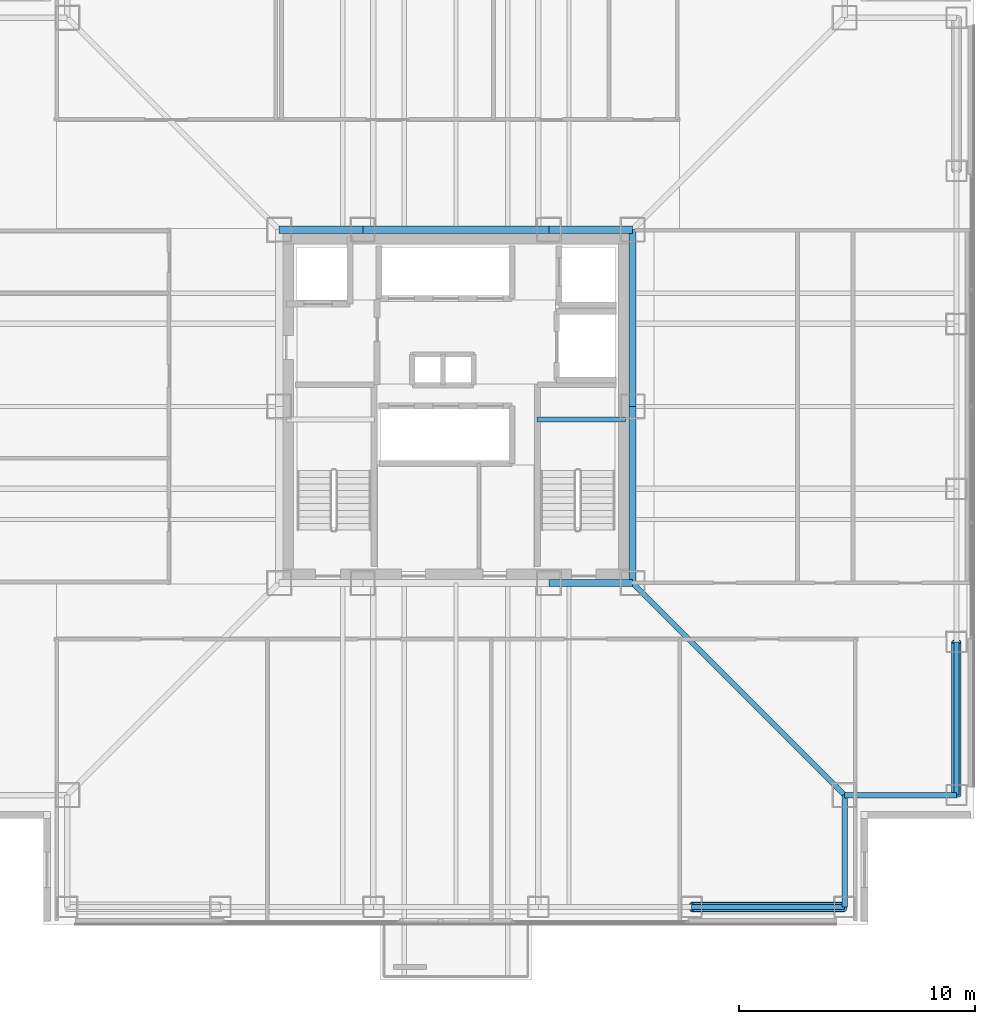
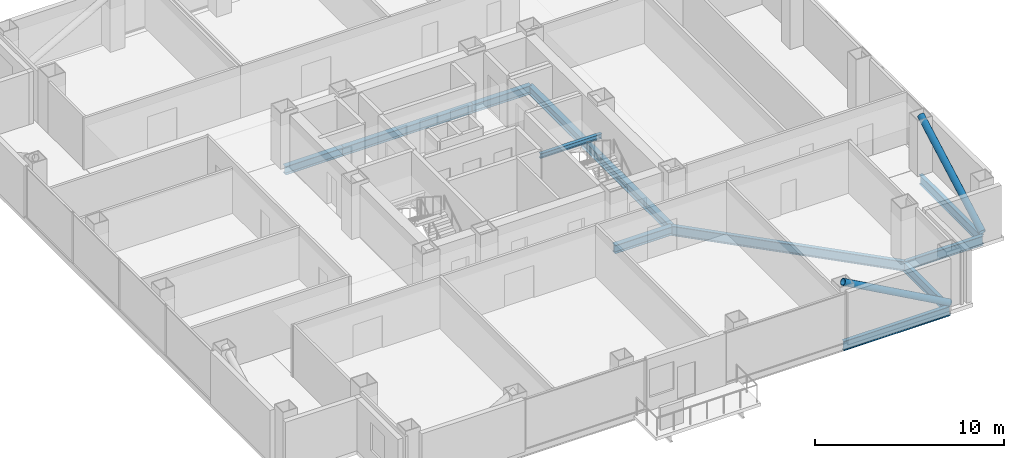
# One storey, part 5 of 14: 12 beams, 2 members.
"""IFC4 building model written with IfcOpenShell, lengths in metres."""

from ifc_helpers import new_model, si_unit, direction, frame, origin, origin_2d, place, context, subcontext, project, spatial, hollow_circle, i_section, extrude, material, material_profile, profile_set, type_object, element, save


model = new_model("IFC4")

# Units and contexts
model_context = context("Model", 3, precision=1e-05, world=origin(), true_north=direction((0.0, 1.0)))
body_context = subcontext(model_context, "Body", "Model", "MODEL_VIEW")
ifc_project = project(units=[si_unit("LENGTHUNIT", "METRE"), si_unit("AREAUNIT", "SQUARE_METRE"), si_unit("VOLUMEUNIT", "CUBIC_METRE"), si_unit("PLANEANGLEUNIT", "RADIAN"), si_unit("MASSUNIT", "GRAM", prefix="KILO")], contexts=[model_context])

# Site, building, storey
site_placement = place(None, origin())
site = spatial("IfcSite", under=ifc_project, at=site_placement, CompositionType="ELEMENT")
building_placement = place(site_placement, origin())
building = spatial("IfcBuilding", under=site, at=building_placement, Name="Trevonay Congress Spire", CompositionType="ELEMENT")
storey_placement = place(building_placement, frame((0.0, 0.0, 133.60009765625)))
storey = spatial("IfcBuildingStorey", under=building, at=storey_placement, Name="L34", CompositionType="ELEMENT", Elevation=133.60009765625)

# Beams
ifc_material_1 = material(Name="Steel ASTM A572 Grade 50", Category="steel")
ifc_material_profile_1 = material_profile(ifc_material_1, i_section(OverallWidth=0.31201171875, OverallDepth=0.54296875, WebThickness=0.0126953125, FlangeThickness=0.020263671875, FilletRadius=0.014892578125, at=origin_2d()), Name="W530x150")
ifc_profile_set_1 = profile_set([ifc_material_profile_1], Name="Steel ASTM A572 Grade 50")
beam_type_1 = type_object("IfcBeamType", Name="BM-GIRD-W530X150", PredefinedType="BEAM", material=ifc_profile_set_1)
for number, where, z_axis, x_axis, name in (
    (1, (3.949951171875, -7.5, -0.51171875), (1.0, 0.0, 0.0), (0.0, 1.0, 0.0), "L34 structural beam BM-L34-CR-S3"),
    (2, (-7.5, 7.5, -0.51171875), (1.0, 0.0, 0.0), (0.0, 1.0, 0.0), "L34 structural beam BM-L34-CR-N1"),
):
    element("IfcBeam", number, at=place(storey_placement, frame(where, z_axis=z_axis, x_axis=x_axis)), inside=storey, type_object=beam_type_1, Name=name, PredefinedType="BEAM", context=body_context, shape_type="SweptSolid", body=[
        extrude(i_section(OverallWidth=0.31201171875, OverallDepth=0.54296875, WebThickness=0.0126953125, FlangeThickness=0.020263671875, FilletRadius=0.014892578125, at=origin_2d()), origin(), (0.0, 0.0, 1.0), 3.550048828125),
    ])
beam_1_placement = place(storey_placement, frame((-3.949951171875, 7.5, -0.51171875), z_axis=(1.0, 0.0, 0.0), x_axis=(0.0, 1.0, 0.0)))
element("IfcBeam", 3, at=beam_1_placement, inside=storey, type_object=beam_type_1, Name="L34 structural beam BM-L34-CR-N2", PredefinedType="BEAM", context=body_context, shape_type="SweptSolid", body=[
    extrude(i_section(OverallWidth=0.31201171875, OverallDepth=0.54296875, WebThickness=0.0126953125, FlangeThickness=0.020263671875, FilletRadius=0.014892578125, at=origin_2d()), origin(), (0.0, 0.0, 1.0), 7.89990234375),
])
beam_2_placement = place(storey_placement, frame((3.949951171875, 7.5, -0.51171875), z_axis=(1.0, 0.0, 0.0), x_axis=(0.0, 1.0, 0.0)))
element("IfcBeam", 4, at=beam_2_placement, inside=storey, type_object=beam_type_1, Name="L34 structural beam BM-L34-CR-N3", PredefinedType="BEAM", context=body_context, shape_type="SweptSolid", body=[
    extrude(i_section(OverallWidth=0.31201171875, OverallDepth=0.54296875, WebThickness=0.0126953125, FlangeThickness=0.020263671875, FilletRadius=0.014892578125, at=origin_2d()), origin(), (0.0, 0.0, 1.0), 3.550048828125),
])
for number, where, z_axis, x_axis, name in (
    (5, (7.5, -7.5, -0.51171875), (0.0, 1.0, 0.0), (-1.0, 0.0, 0.0), "L34 structural beam BM-L34-CR-E1"),
    (6, (7.5, 0.0, -0.51171875), (0.0, 1.0, 0.0), (-1.0, 0.0, 0.0), "L34 structural beam BM-L34-CR-E2"),
):
    element("IfcBeam", number, at=place(storey_placement, frame(where, z_axis=z_axis, x_axis=x_axis)), inside=storey, type_object=beam_type_1, Name=name, PredefinedType="BEAM", context=body_context, shape_type="SweptSolid", body=[
        extrude(i_section(OverallWidth=0.31201171875, OverallDepth=0.54296875, WebThickness=0.0126953125, FlangeThickness=0.020263671875, FilletRadius=0.014892578125, at=origin_2d()), origin(), (0.0, 0.0, 1.0), 7.5),
    ])
ifc_material_profile_2 = material_profile(ifc_material_1, i_section(OverallWidth=0.22998046875, OverallDepth=0.616943359375, WebThickness=0.01318359375, FlangeThickness=0.022216796875, FilletRadius=0.01611328125, at=origin_2d()), Name="W610x140")
ifc_profile_set_2 = profile_set([ifc_material_profile_2], Name="Steel ASTM A572 Grade 50")
beam_type_2 = type_object("IfcBeamType", Name="BM-GIRD-W610X140", PredefinedType="BEAM", material=ifc_profile_set_2)
beam_3_placement = place(storey_placement, frame((7.5, -7.5, -0.548583984375), z_axis=(0.707106781187, -0.707106781187, 0.0), x_axis=(0.707106781187, 0.707106781187, 0.0)))
element("IfcBeam", 7, at=beam_3_placement, inside=storey, type_object=beam_type_2, Name="L34 structural beam BM-L34-CDSE", PredefinedType="BEAM", context=body_context, shape_type="SweptSolid", body=[
    extrude(i_section(OverallWidth=0.22998046875, OverallDepth=0.616943359375, WebThickness=0.01318359375, FlangeThickness=0.022216796875, FilletRadius=0.01611328125, at=origin_2d()), origin(), (0.0, 0.0, 1.0), 12.72802734375),
])
ifc_material_profile_3 = material_profile(ifc_material_1, i_section(OverallWidth=0.22802734375, OverallDepth=0.60791015625, WebThickness=0.01123046875, FlangeThickness=0.017333984375, FilletRadius=0.01611328125, at=origin_2d()), Name="W610x113")
ifc_profile_set_3 = profile_set([ifc_material_profile_3], Name="Steel ASTM A572 Grade 50")
beam_type_3 = type_object("IfcBeamType", Name="BM-RING-W610X113", PredefinedType="BEAM", material=ifc_profile_set_3)
for number, where, z_axis, x_axis, name in (
    (8, (21.25, -16.5, -0.544189453125), (0.0, 1.0, 0.0), (-1.0, 0.0, 0.0), "L34 structural beam BM-L34-PE1"),
    (9, (10.0, -21.25, -0.544189453125), (1.0, 0.0, 0.0), (0.0, 1.0, 0.0), "L34 structural beam BM-L34-PS5"),
):
    element("IfcBeam", number, at=place(storey_placement, frame(where, z_axis=z_axis, x_axis=x_axis)), inside=storey, type_object=beam_type_3, Name=name, PredefinedType="BEAM", context=body_context, shape_type="SweptSolid", body=[
        extrude(i_section(OverallWidth=0.22802734375, OverallDepth=0.60791015625, WebThickness=0.01123046875, FlangeThickness=0.017333984375, FilletRadius=0.01611328125, at=origin_2d()), origin(), (0.0, 0.0, 1.0), 6.5),
    ])
for number, where, z_axis, x_axis, name in (
    (10, (16.5, -21.25, -0.544189453125), (0.0, 1.0, 0.0), (-1.0, 0.0, 0.0), "L34 structural beam BM-L34-N1SE"),
    (11, (21.25, -16.5, -0.544189453125), (-1.0, 0.0, 0.0), (0.0, -1.0, 0.0), "L34 structural beam BM-L34-N2SE"),
):
    element("IfcBeam", number, at=place(storey_placement, frame(where, z_axis=z_axis, x_axis=x_axis)), inside=storey, type_object=beam_type_3, Name=name, PredefinedType="BEAM", context=body_context, shape_type="SweptSolid", body=[
        extrude(i_section(OverallWidth=0.22802734375, OverallDepth=0.60791015625, WebThickness=0.01123046875, FlangeThickness=0.017333984375, FilletRadius=0.01611328125, at=origin_2d()), origin(), (0.0, 0.0, 1.0), 4.75),
    ])
ifc_material_profile_4 = material_profile(ifc_material_1, i_section(OverallWidth=0.2041015625, OverallDepth=0.305908203125, WebThickness=0.008544921875, FlangeThickness=0.0146484375, FilletRadius=0.010986328125, at=origin_2d()), Name="W310x67")
ifc_profile_set_4 = profile_set([ifc_material_profile_4], Name="Steel ASTM A572 Grade 50")
beam_type_4 = type_object("IfcBeamType", Name="LN-CORE-W310X67", PredefinedType="LINTEL", material=ifc_profile_set_4)
beam_4_placement = place(storey_placement, frame((3.449951171875, -0.550048828125, 1.447021484375), z_axis=(1.0, 0.0, 0.0), x_axis=(0.0, 1.0, 0.0)))
element("IfcBeam", 12, at=beam_4_placement, inside=storey, type_object=beam_type_4, Name="L34 structural beam BM-L34-HL-ST2", PredefinedType="LINTEL", context=body_context, shape_type="SweptSolid", body=[
    extrude(i_section(OverallWidth=0.2041015625, OverallDepth=0.305908203125, WebThickness=0.008544921875, FlangeThickness=0.0146484375, FilletRadius=0.010986328125, at=origin_2d()), origin(), (0.0, 0.0, 1.0), 3.75),
])

# Members
ifc_material_2 = material(Name="Steel ASTM A500 Grade C", Category="steel")
ifc_material_profile_5 = material_profile(ifc_material_2, hollow_circle(Radius=0.203125, WallThickness=0.02001953125, at=origin_2d()), Name="CHS 406.4x20")
ifc_profile_set_5 = profile_set([ifc_material_profile_5], Name="Steel ASTM A500 Grade C")
member_type = type_object("IfcMemberType", Name="MBR-TUBE-CHS406", PredefinedType="BRACE", material=ifc_profile_set_5)
for number, where, z_axis, x_axis, name in (
    (13, (16.5, -21.25, -0.050048828125), (-0.874799711691, 0.0, 0.484484741169), (0.0, -1.0, 0.0), "L34 perimeter braced-tube diagonal S4"),
    (14, (21.25, -16.5, -0.050048828125), (0.0, 0.874799711691, 0.484484741169), (-1.0, 0.0, 0.0), "L34 perimeter braced-tube diagonal E0"),
):
    element("IfcMember", number, at=place(storey_placement, frame(where, z_axis=z_axis, x_axis=x_axis)), inside=storey, type_object=member_type, Name=name, PredefinedType="BRACE", context=body_context, shape_type="SweptSolid", body=[
        extrude(hollow_circle(Radius=0.203125, WallThickness=0.02001953125, at=origin_2d()), origin(), (0.0, 0.0, 1.0), 7.43017578125),
    ])

save(model, "model.ifc")
